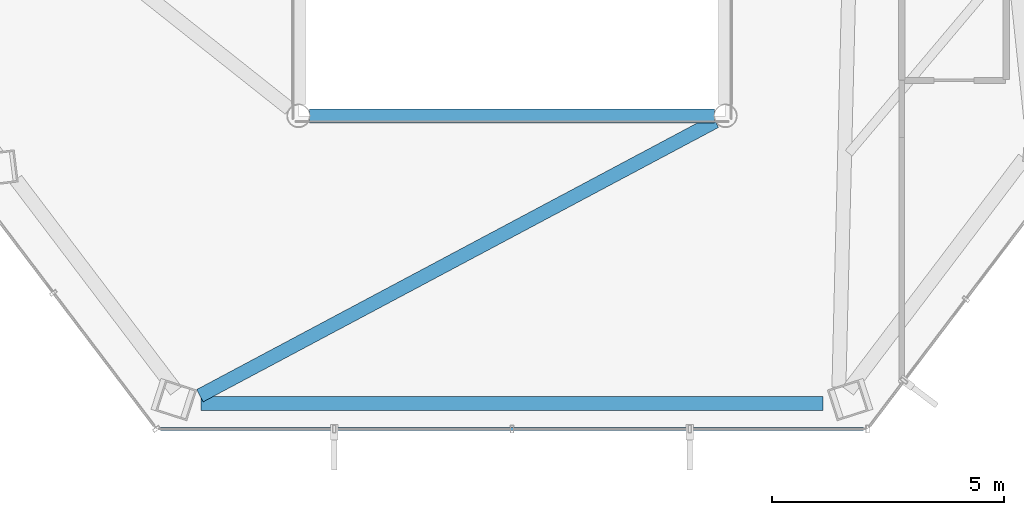
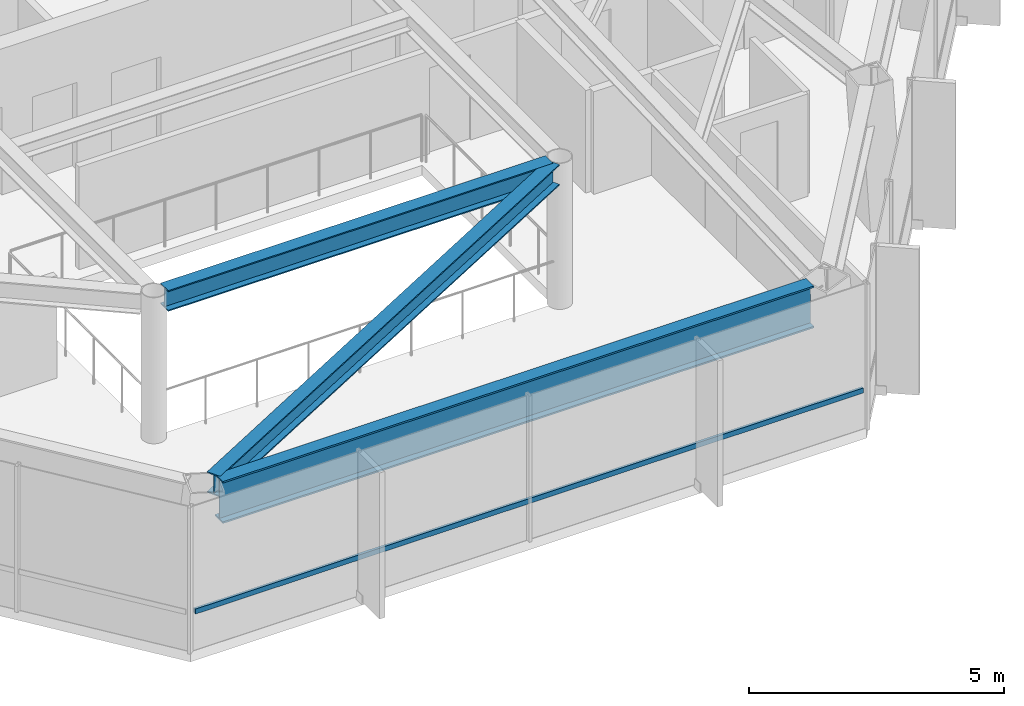
# One storey, part 7 of 27: 3 beams, 1 member, 1 element without a shape of its own.
"""IFC4 building model written with IfcOpenShell, lengths in metres."""

from ifc_helpers import new_model, si_unit, direction, frame, origin, origin_2d, place, context, subcontext, project, spatial, hollow_rectangle, i_section, extrude, material, layer, layer_set, material_profile, profile_set, type_object, element, aggregate, save


model = new_model("IFC4")

# Units and contexts
model_context = context("Model", 3, precision=1e-05, world=origin(), true_north=direction((0.0, 1.0)))
body_context = subcontext(model_context, "Body", "Model", "MODEL_VIEW")
ifc_project = project(units=[si_unit("LENGTHUNIT", "METRE"), si_unit("AREAUNIT", "SQUARE_METRE"), si_unit("VOLUMEUNIT", "CUBIC_METRE"), si_unit("PLANEANGLEUNIT", "RADIAN"), si_unit("MASSUNIT", "GRAM", prefix="KILO")], contexts=[model_context])

# Site, building, storey
site_placement = place(None, origin())
site = spatial("IfcSite", under=ifc_project, at=site_placement, CompositionType="ELEMENT")
building_placement = place(site_placement, origin())
building = spatial("IfcBuilding", under=site, at=building_placement, Name="Zarrinselat Tower", CompositionType="ELEMENT")
storey_placement = place(building_placement, frame((0.0, 0.0, 172.0400390625)))
storey = spatial("IfcBuildingStorey", under=building, at=storey_placement, Name="L42", CompositionType="ELEMENT", Elevation=172.0400390625)

# Beams
ifc_material_1 = material(Name="Steel S355J2", Category="steel")
ifc_material_profile_1 = material_profile(ifc_material_1, i_section(OverallWidth=0.300048828125, OverallDepth=0.5, WebThickness=0.014404296875, FlangeThickness=0.028076171875, at=origin_2d()), Name="HEB 500")
ifc_profile_set_1 = profile_set([ifc_material_profile_1], Name="Steel S355J2")
beam_type_1 = type_object("IfcBeamType", Name="BM-HEB500", PredefinedType="BEAM", material=ifc_profile_set_1)
beam_1_placement = place(storey_placement, frame((34.0400390625, 24.39990234375, 3.25), z_axis=(1.0, 0.0, 0.0), x_axis=(0.0, 1.0, 0.0)))
element("IfcBeam", 1, at=beam_1_placement, inside=storey, type_object=beam_type_1, Name="L42 Atrium Edge Beam S", PredefinedType="BEAM", context=body_context, shape_type="SweptSolid", body=[
    extrude(i_section(OverallWidth=0.300048828125, OverallDepth=0.5, WebThickness=0.014404296875, FlangeThickness=0.028076171875, at=origin_2d()), origin(), (0.0, 0.0, 1.0), 8.719970703125),
])
beam_2_placement = place(storey_placement, frame((31.67529296875, 18.37060546875, 3.25), z_axis=(0.882691705448, 0.469952500933, 0.0), x_axis=(-0.469952500933, 0.882691705448, 0.0)))
element("IfcBeam", 2, at=beam_2_placement, inside=storey, type_object=beam_type_1, Name="L42 Radial Primary Girder RG10", PredefinedType="BEAM", context=body_context, shape_type="SweptSolid", body=[
    extrude(i_section(OverallWidth=0.300048828125, OverallDepth=0.5, WebThickness=0.014404296875, FlangeThickness=0.028076171875, at=origin_2d()), origin(), (0.0, 0.0, 1.0), 12.57958984375),
])
ifc_material_2 = material(Name="Steel S460M", Category="steel")
ifc_material_profile_2 = material_profile(ifc_material_2, i_section(OverallWidth=0.302001953125, OverallDepth=1.008056640625, WebThickness=0.02099609375, FlangeThickness=0.0400390625, at=origin_2d()), Name="HEM 1000")
ifc_profile_set_2 = profile_set([ifc_material_profile_2], Name="Steel S460M")
beam_type_2 = type_object("IfcBeamType", Name="BM-HEM1000", PredefinedType="BEAM", material=ifc_profile_set_2)
beam_3_placement = place(storey_placement, frame((31.70263671875, 18.205322265625, 2.995849609375), z_axis=(1.0, 0.0, 0.0), x_axis=(0.0, 1.0, 0.0)))
element("IfcBeam", 3, at=beam_3_placement, inside=storey, type_object=beam_type_2, Name="L42 Perimeter Spandrel Girder SP10", PredefinedType="BEAM", context=body_context, shape_type="SweptSolid", body=[
    extrude(i_section(OverallWidth=0.302001953125, OverallDepth=1.008056640625, WebThickness=0.02099609375, FlangeThickness=0.0400390625, at=origin_2d()), origin(), (0.0, 0.0, 1.0), 13.394775390625),
])

# Curtain wall, member
ifc_material_3 = material(Name="Extruded Aluminium Alloy EN AW-6063 T6", Category="aluminium")
ifc_layer = layer(ifc_material_3, 0.175048828125)
ifc_layer_set = layer_set([ifc_layer], Name="Extruded Aluminium Alloy EN AW-6063 T6")
curtain_wall_type = type_object("IfcCurtainWallType", Name="CWS-HTL", PredefinedType="NOTDEFINED", material=ifc_layer_set)
curtain_wall_placement = place(storey_placement, origin())
curtain_wall = element("IfcCurtainWall", 4, at=curtain_wall_placement, inside=storey, type_object=curtain_wall_type, Name="L42 Unitised Curtain Wall CW-L42-E04", PredefinedType="NOTDEFINED")
ifc_material_4 = material(Name="Extruded Aluminium Alloy EN AW-6063 T6", Category="aluminium")
ifc_material_profile_3 = material_profile(ifc_material_4, hollow_rectangle(XDim=0.06005859375, YDim=0.1201171875, WallThickness=0.00390625, at=origin_2d()), Name="RHS 120x60x4")
ifc_profile_set_3 = profile_set([ifc_material_profile_3], Name="Extruded Aluminium Alloy EN AW-6063 T6")
member_type = type_object("IfcMemberType", Name="MEM-CW-TRN2", PredefinedType="USERDEFINED", material=ifc_profile_set_3)
member_placement = place(storey_placement, frame((30.82763671875, 17.6533203125, 0.949951171875), z_axis=(1.0, 0.0, 0.0), x_axis=(0.0, 1.0, 0.0)))
member = element("IfcMember", 5, at=member_placement, type_object=member_type, Name="CW-L42-E04 Transom 1", ObjectType="TRANSOM", PredefinedType="USERDEFINED", context=body_context, shape_type="SweptSolid", body=[
    extrude(hollow_rectangle(XDim=0.06005859375, YDim=0.1201171875, WallThickness=0.00390625, at=origin_2d()), origin(), (0.0, 0.0, 1.0), 15.144775390625),
])
aggregate(curtain_wall, [member])

save(model, "model.ifc")
